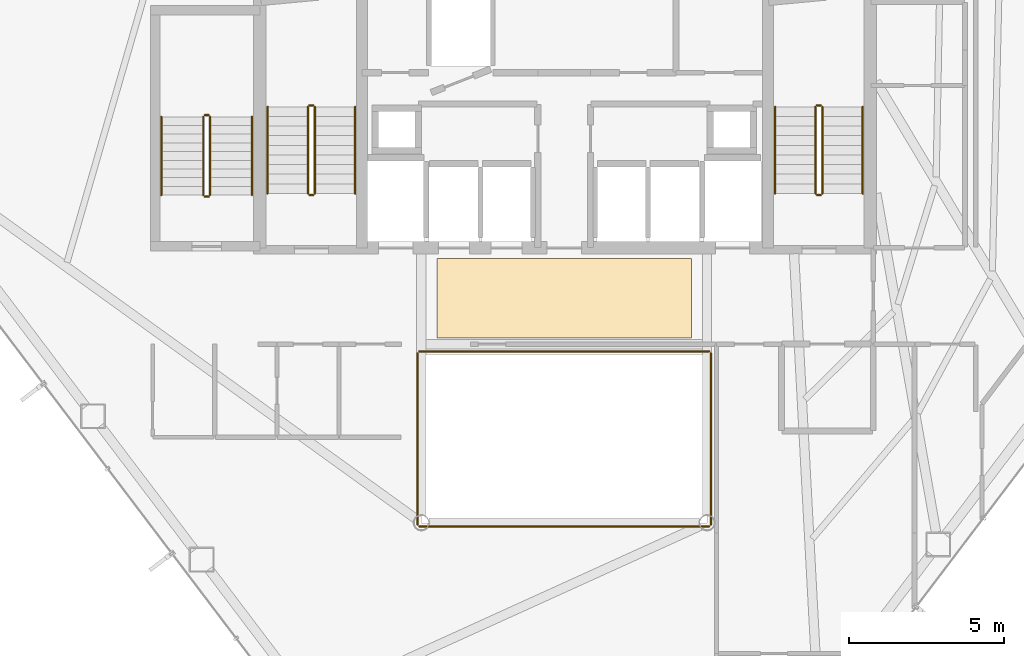
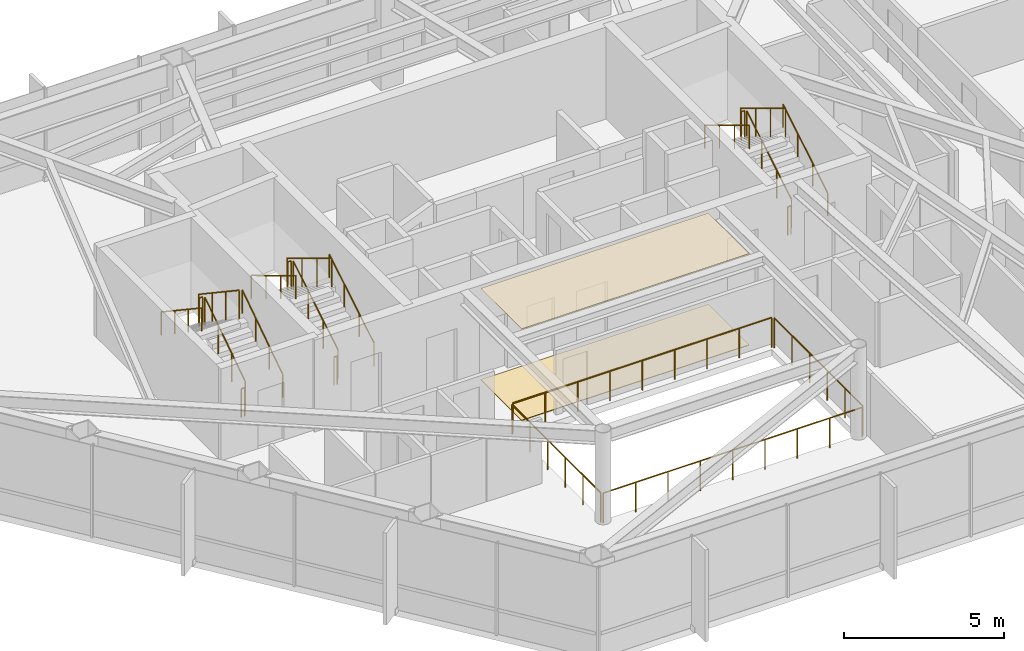
# One storey, part 29 of 29: 22 railings, 2 coverings.
"""IFC4 building model written with IfcOpenShell, lengths in metres."""

from ifc_helpers import new_model, si_unit, direction, frame, origin, origin_2d, place, context, subcontext, project, spatial, polyline, circle, outline, extrude, material, layer, layer_set, type_object, element, save


model = new_model("IFC4")

# Units and contexts
model_context = context("Model", 3, precision=1e-05, world=origin(), true_north=direction((0.0, 1.0)))
body_context = subcontext(model_context, "Body", "Model", "MODEL_VIEW")
ifc_project = project(units=[si_unit("LENGTHUNIT", "METRE"), si_unit("AREAUNIT", "SQUARE_METRE"), si_unit("VOLUMEUNIT", "CUBIC_METRE"), si_unit("PLANEANGLEUNIT", "RADIAN"), si_unit("MASSUNIT", "GRAM", prefix="KILO")], contexts=[model_context])

# Site, building, storey
site_placement = place(None, origin())
site = spatial("IfcSite", under=ifc_project, at=site_placement, CompositionType="ELEMENT")
building_placement = place(site_placement, origin())
building = spatial("IfcBuilding", under=site, at=building_placement, Name="Zarrinselat Tower", CompositionType="ELEMENT")
storey_placement = place(building_placement, frame((0.0, 0.0, 134.639892578125)))
storey = spatial("IfcBuildingStorey", under=building, at=storey_placement, Name="L32", CompositionType="ELEMENT", Elevation=134.639892578125)

# Coverings
ifc_material_1 = material(Name="Fire-Rated Gypsum Board Partition")
ifc_layer_1 = layer(ifc_material_1, 0.014892578125)
ifc_layer_set_1 = layer_set([ifc_layer_1], Name="Fire-Rated Gypsum Board Partition")
covering_type_1 = type_object("IfcCoveringType", Name="COV-CLG-AC15", PredefinedType="CEILING", material=ifc_layer_set_1)
covering_1_placement = place(storey_placement, frame((0.0, 0.0, 3.485107421875)))
element("IfcCovering", 1, at=covering_1_placement, inside=storey, type_object=covering_type_1, Name="L32 Lift Lobby Acoustic Ceiling", PredefinedType="CEILING", context=body_context, shape_type="SweptSolid", body=[
    extrude(outline(polyline([(34.300048828125, 30.35009765625), (42.5, 30.35009765625), (42.5, 32.89990234375), (34.300048828125, 32.89990234375), (34.300048828125, 30.35009765625)])), origin(), (0.0, 0.0, 1.0), 0.014892578125),
])
ifc_material_2 = material(Name="Honed Cream Travertine Stone", Category="masonry")
ifc_layer_2 = layer(ifc_material_2, 0.02490234375)
ifc_layer_set_2 = layer_set([ifc_layer_2], Name="Honed Cream Travertine Stone")
covering_type_2 = type_object("IfcCoveringType", Name="COV-FLR-ST25", PredefinedType="FLOORING", material=ifc_layer_set_2)
covering_2_placement = place(storey_placement, origin())
element("IfcCovering", 2, at=covering_2_placement, inside=storey, type_object=covering_type_2, Name="L32 Lift Lobby Stone Flooring", PredefinedType="FLOORING", context=body_context, shape_type="SweptSolid", body=[
    extrude(outline(polyline([(34.300048828125, 30.35009765625), (42.5, 30.35009765625), (42.5, 32.89990234375), (34.300048828125, 32.89990234375), (34.300048828125, 30.35009765625)])), origin(), (0.0, 0.0, 1.0), 0.025146484375),
])

# Railings
ifc_material_3 = material(Name="Double Low-E Laminated Solar Glass", Category="glass")
railing_type_1 = type_object("IfcRailingType", Name="RLG-ATRIUM-BAL", PredefinedType="BALUSTRADE", material=ifc_material_3)
railing_1_placement = place(storey_placement, frame((33.739990234375, 24.280029296875, 0.0)))
element("IfcRailing", 3, at=railing_1_placement, inside=storey, type_object=railing_type_1, Name="L32 Atrium Void Glass Balustrade S", PredefinedType="BALUSTRADE", context=body_context, shape_type="SweptSolid", body=[
    extrude(circle(Radius=0.02392578125, at=origin_2d()), frame((0.0, 0.0, 1.1259765625), z_axis=(1.0, 0.0, 0.0), x_axis=(0.0, 1.0, 0.0)), (0.0, 0.0, 1.0), 9.320068359375),
    extrude(circle(Radius=0.02099609375, at=origin_2d()), origin(), (0.0, 0.0, 1.0), 1.099853515625),
    extrude(circle(Radius=0.02099609375, at=origin_2d()), frame((1.1650390625, 0.0, 0.0)), (0.0, 0.0, 1.0), 1.099853515625),
    extrude(circle(Radius=0.02099609375, at=origin_2d()), frame((2.330078125, 0.0, 0.0)), (0.0, 0.0, 1.0), 1.099853515625),
    extrude(circle(Radius=0.02099609375, at=origin_2d()), frame((3.4951171875, 0.0, 0.0)), (0.0, 0.0, 1.0), 1.099853515625),
    extrude(circle(Radius=0.02099609375, at=origin_2d()), frame((4.66015625, 0.0, 0.0)), (0.0, 0.0, 1.0), 1.099853515625),
    extrude(circle(Radius=0.02099609375, at=origin_2d()), frame((5.824951171875, 0.0, 0.0)), (0.0, 0.0, 1.0), 1.099853515625),
    extrude(circle(Radius=0.02099609375, at=origin_2d()), frame((6.989990234375, 0.0, 0.0)), (0.0, 0.0, 1.0), 1.099853515625),
    extrude(circle(Radius=0.02099609375, at=origin_2d()), frame((8.155029296875, 0.0, 0.0)), (0.0, 0.0, 1.0), 1.099853515625),
    extrude(circle(Radius=0.02099609375, at=origin_2d()), frame((9.320068359375, 0.0, 0.0)), (0.0, 0.0, 1.0), 1.099853515625),
])
railing_2_placement = place(storey_placement, frame((43.1201171875, 24.340087890625, 0.0)))
element("IfcRailing", 4, at=railing_2_placement, inside=storey, type_object=railing_type_1, Name="L32 Atrium Void Glass Balustrade E", PredefinedType="BALUSTRADE", context=body_context, shape_type="SweptSolid", body=[
    extrude(circle(Radius=0.02392578125, at=origin_2d()), frame((0.0, 0.0, 1.1259765625), z_axis=(0.0, 1.0, 0.0), x_axis=(-1.0, 0.0, 0.0)), (0.0, 0.0, 1.0), 5.52001953125),
    extrude(circle(Radius=0.02099609375, at=origin_2d()), origin(), (0.0, 0.0, 1.0), 1.099853515625),
    extrude(circle(Radius=0.02099609375, at=origin_2d()), frame((0.0, 1.10400390625, 0.0)), (0.0, 0.0, 1.0), 1.099853515625),
    extrude(circle(Radius=0.02099609375, at=origin_2d()), frame((0.0, 2.2080078125, 0.0)), (0.0, 0.0, 1.0), 1.099853515625),
    extrude(circle(Radius=0.02099609375, at=origin_2d()), frame((0.0, 3.31201171875, 0.0)), (0.0, 0.0, 1.0), 1.099853515625),
    extrude(circle(Radius=0.02099609375, at=origin_2d()), frame((0.0, 4.416015625, 0.0)), (0.0, 0.0, 1.0), 1.099853515625),
    extrude(circle(Radius=0.02099609375, at=origin_2d()), frame((0.0, 5.52001953125, 0.0)), (0.0, 0.0, 1.0), 1.099853515625),
])
railing_3_placement = place(storey_placement, frame((43.06005859375, 29.919921875, 0.0)))
element("IfcRailing", 5, at=railing_3_placement, inside=storey, type_object=railing_type_1, Name="L32 Atrium Void Glass Balustrade N", PredefinedType="BALUSTRADE", context=body_context, shape_type="SweptSolid", body=[
    extrude(circle(Radius=0.02392578125, at=origin_2d()), frame((0.0, 0.0, 1.1259765625), z_axis=(-1.0, 0.0, 0.0), x_axis=(0.0, -1.0, 0.0)), (0.0, 0.0, 1.0), 9.320068359375),
    extrude(circle(Radius=0.02099609375, at=origin_2d()), origin(), (0.0, 0.0, 1.0), 1.099853515625),
    extrude(circle(Radius=0.02099609375, at=origin_2d()), frame((-1.1650390625, 0.0, 0.0)), (0.0, 0.0, 1.0), 1.099853515625),
    extrude(circle(Radius=0.02099609375, at=origin_2d()), frame((-2.330078125, 0.0, 0.0)), (0.0, 0.0, 1.0), 1.099853515625),
    extrude(circle(Radius=0.02099609375, at=origin_2d()), frame((-3.4951171875, 0.0, 0.0)), (0.0, 0.0, 1.0), 1.099853515625),
    extrude(circle(Radius=0.02099609375, at=origin_2d()), frame((-4.66015625, 0.0, 0.0)), (0.0, 0.0, 1.0), 1.099853515625),
    extrude(circle(Radius=0.02099609375, at=origin_2d()), frame((-5.824951171875, 0.0, 0.0)), (0.0, 0.0, 1.0), 1.099853515625),
    extrude(circle(Radius=0.02099609375, at=origin_2d()), frame((-6.989990234375, 0.0, 0.0)), (0.0, 0.0, 1.0), 1.099853515625),
    extrude(circle(Radius=0.02099609375, at=origin_2d()), frame((-8.155029296875, 0.0, 0.0)), (0.0, 0.0, 1.0), 1.099853515625),
    extrude(circle(Radius=0.02099609375, at=origin_2d()), frame((-9.320068359375, 0.0, 0.0)), (0.0, 0.0, 1.0), 1.099853515625),
])
railing_4_placement = place(storey_placement, frame((33.679931640625, 29.860107421875, 0.0)))
element("IfcRailing", 6, at=railing_4_placement, inside=storey, type_object=railing_type_1, Name="L32 Atrium Void Glass Balustrade W", PredefinedType="BALUSTRADE", context=body_context, shape_type="SweptSolid", body=[
    extrude(circle(Radius=0.02392578125, at=origin_2d()), frame((0.0, 0.0, 1.1259765625), z_axis=(0.0, -1.0, 0.0), x_axis=(1.0, 0.0, 0.0)), (0.0, 0.0, 1.0), 5.52001953125),
    extrude(circle(Radius=0.02099609375, at=origin_2d()), origin(), (0.0, 0.0, 1.0), 1.099853515625),
    extrude(circle(Radius=0.02099609375, at=origin_2d()), frame((0.0, -1.10400390625, 0.0)), (0.0, 0.0, 1.0), 1.099853515625),
    extrude(circle(Radius=0.02099609375, at=origin_2d()), frame((0.0, -2.2080078125, 0.0)), (0.0, 0.0, 1.0), 1.099853515625),
    extrude(circle(Radius=0.02099609375, at=origin_2d()), frame((0.0, -3.31201171875, 0.0)), (0.0, 0.0, 1.0), 1.099853515625),
    extrude(circle(Radius=0.02099609375, at=origin_2d()), frame((0.0, -4.416015625, 0.0)), (0.0, 0.0, 1.0), 1.099853515625),
    extrude(circle(Radius=0.02099609375, at=origin_2d()), frame((0.0, -5.52001953125, 0.0)), (0.0, 0.0, 1.0), 1.099853515625),
])
ifc_material_4 = material(Name="Steel S355J2", Category="steel")
railing_type_2 = type_object("IfcRailingType", Name="RLG-STAIR-GUARD", PredefinedType="GUARDRAIL", material=ifc_material_4)
railing_5_placement = place(storey_placement, frame((30.3701171875, 35.0, 0.18701171875)))
element("IfcRailing", 7, at=railing_5_placement, inside=storey, type_object=railing_type_2, Name="L32 ST-1 stair guard 1", PredefinedType="GUARDRAIL", context=body_context, shape_type="SweptSolid", body=[
    extrude(circle(Radius=0.02392578125, at=origin_2d()), frame((0.0, 0.0, 1.076171875), z_axis=(0.0, 0.856260799362, 0.516543747882), x_axis=(-1.0, 0.0, 0.0)), (0.0, 0.0, 1.0), 3.25830078125),
    extrude(circle(Radius=0.02099609375, at=origin_2d()), origin(), (0.0, 0.0, 1.0), 1.050048828125),
    extrude(circle(Radius=0.02099609375, at=origin_2d()), frame((0.0, 0.929931640625, 0.56103515625)), (0.0, 0.0, 1.0), 1.050048828125),
    extrude(circle(Radius=0.02099609375, at=origin_2d()), frame((0.0, 1.860107421875, 1.1220703125)), (0.0, 0.0, 1.0), 1.050048828125),
    extrude(circle(Radius=0.02099609375, at=origin_2d()), frame((0.0, 2.7900390625, 1.68310546875)), (0.0, 0.0, 1.0), 1.050048828125),
])
railing_6_placement = place(storey_placement, frame((30.320068359375, 37.840087890625, 1.8701171875)))
element("IfcRailing", 8, at=railing_6_placement, inside=storey, type_object=railing_type_2, Name="L32 ST-1 stair guard 2", PredefinedType="GUARDRAIL", context=body_context, shape_type="SweptSolid", body=[
    extrude(circle(Radius=0.02392578125, at=origin_2d()), frame((0.0, 0.0, 1.076171875), z_axis=(-1.0, 0.0, 0.0), x_axis=(0.0, -1.0, 0.0)), (0.0, 0.0, 1.0), 0.1201171875),
    extrude(circle(Radius=0.02099609375, at=origin_2d()), origin(), (0.0, 0.0, 1.0), 1.050048828125),
    extrude(circle(Radius=0.02099609375, at=origin_2d()), frame((-0.1201171875, 0.0, 0.0)), (0.0, 0.0, 1.0), 1.050048828125),
])
railing_7_placement = place(storey_placement, frame((30.14990234375, 37.7900390625, 2.05712890625)))
element("IfcRailing", 9, at=railing_7_placement, inside=storey, type_object=railing_type_2, Name="L32 ST-1 stair guard 3", PredefinedType="GUARDRAIL", context=body_context, shape_type="SweptSolid", body=[
    extrude(circle(Radius=0.02392578125, at=origin_2d()), frame((0.0, 0.0, 1.076171875), z_axis=(0.0, -0.856293938615, 0.516488809842), x_axis=(1.0, 0.0, 0.0)), (0.0, 0.0, 1.0), 3.25830078125),
    extrude(circle(Radius=0.02099609375, at=origin_2d()), origin(), (0.0, 0.0, 1.0), 1.050048828125),
    extrude(circle(Radius=0.02099609375, at=origin_2d()), frame((0.0, -0.929931640625, 0.56103515625)), (0.0, 0.0, 1.0), 1.050048828125),
    extrude(circle(Radius=0.02099609375, at=origin_2d()), frame((0.0, -1.860107421875, 1.121826171875)), (0.0, 0.0, 1.0), 1.050048828125),
    extrude(circle(Radius=0.02099609375, at=origin_2d()), frame((0.0, -2.7900390625, 1.682861328125)), (0.0, 0.0, 1.0), 1.050048828125),
])
railing_8_placement = place(storey_placement, frame((30.320068359375, 34.949951171875, 0.0)))
element("IfcRailing", 10, at=railing_8_placement, inside=storey, type_object=railing_type_2, Name="L32 ST-1 stair guard 4", PredefinedType="GUARDRAIL", context=body_context, shape_type="SweptSolid", body=[
    extrude(circle(Radius=0.02392578125, at=origin_2d()), frame((0.0, 0.0, 1.076171875), z_axis=(-1.0, 0.0, 0.0), x_axis=(0.0, -1.0, 0.0)), (0.0, 0.0, 1.0), 0.1201171875),
    extrude(circle(Radius=0.02099609375, at=origin_2d()), origin(), (0.0, 0.0, 1.0), 1.050048828125),
    extrude(circle(Radius=0.02099609375, at=origin_2d()), frame((-0.1201171875, 0.0, 0.0)), (0.0, 0.0, 1.0), 1.050048828125),
])
railing_9_placement = place(storey_placement, frame((46.7099609375, 35.0, 0.18701171875)))
element("IfcRailing", 11, at=railing_9_placement, inside=storey, type_object=railing_type_2, Name="L32 ST-2 stair guard 1", PredefinedType="GUARDRAIL", context=body_context, shape_type="SweptSolid", body=[
    extrude(circle(Radius=0.02392578125, at=origin_2d()), frame((0.0, 0.0, 1.076171875), z_axis=(0.0, 0.856260799362, 0.516543747882), x_axis=(-1.0, 0.0, 0.0)), (0.0, 0.0, 1.0), 3.25830078125),
    extrude(circle(Radius=0.02099609375, at=origin_2d()), origin(), (0.0, 0.0, 1.0), 1.050048828125),
    extrude(circle(Radius=0.02099609375, at=origin_2d()), frame((0.0, 0.929931640625, 0.56103515625)), (0.0, 0.0, 1.0), 1.050048828125),
    extrude(circle(Radius=0.02099609375, at=origin_2d()), frame((0.0, 1.860107421875, 1.1220703125)), (0.0, 0.0, 1.0), 1.050048828125),
    extrude(circle(Radius=0.02099609375, at=origin_2d()), frame((0.0, 2.7900390625, 1.68310546875)), (0.0, 0.0, 1.0), 1.050048828125),
])
railing_10_placement = place(storey_placement, frame((46.659912109375, 37.840087890625, 1.8701171875)))
element("IfcRailing", 12, at=railing_10_placement, inside=storey, type_object=railing_type_2, Name="L32 ST-2 stair guard 2", PredefinedType="GUARDRAIL", context=body_context, shape_type="SweptSolid", body=[
    extrude(circle(Radius=0.02392578125, at=origin_2d()), frame((0.0, 0.0, 1.076171875), z_axis=(-1.0, 0.0, 0.0), x_axis=(0.0, -1.0, 0.0)), (0.0, 0.0, 1.0), 0.119873046875),
    extrude(circle(Radius=0.02099609375, at=origin_2d()), origin(), (0.0, 0.0, 1.0), 1.050048828125),
    extrude(circle(Radius=0.02099609375, at=origin_2d()), frame((-0.119873046875, 0.0, 0.0)), (0.0, 0.0, 1.0), 1.050048828125),
])
railing_11_placement = place(storey_placement, frame((46.489990234375, 37.7900390625, 2.05712890625)))
element("IfcRailing", 13, at=railing_11_placement, inside=storey, type_object=railing_type_2, Name="L32 ST-2 stair guard 3", PredefinedType="GUARDRAIL", context=body_context, shape_type="SweptSolid", body=[
    extrude(circle(Radius=0.02392578125, at=origin_2d()), frame((0.0, 0.0, 1.076171875), z_axis=(0.0, -0.856293938615, 0.516488809842), x_axis=(1.0, 0.0, 0.0)), (0.0, 0.0, 1.0), 3.25830078125),
    extrude(circle(Radius=0.02099609375, at=origin_2d()), origin(), (0.0, 0.0, 1.0), 1.050048828125),
    extrude(circle(Radius=0.02099609375, at=origin_2d()), frame((0.0, -0.929931640625, 0.56103515625)), (0.0, 0.0, 1.0), 1.050048828125),
    extrude(circle(Radius=0.02099609375, at=origin_2d()), frame((0.0, -1.860107421875, 1.121826171875)), (0.0, 0.0, 1.0), 1.050048828125),
    extrude(circle(Radius=0.02099609375, at=origin_2d()), frame((0.0, -2.7900390625, 1.682861328125)), (0.0, 0.0, 1.0), 1.050048828125),
])
railing_12_placement = place(storey_placement, frame((46.659912109375, 34.949951171875, 0.0)))
element("IfcRailing", 14, at=railing_12_placement, inside=storey, type_object=railing_type_2, Name="L32 ST-2 stair guard 4", PredefinedType="GUARDRAIL", context=body_context, shape_type="SweptSolid", body=[
    extrude(circle(Radius=0.02392578125, at=origin_2d()), frame((0.0, 0.0, 1.076171875), z_axis=(-1.0, 0.0, 0.0), x_axis=(0.0, -1.0, 0.0)), (0.0, 0.0, 1.0), 0.119873046875),
    extrude(circle(Radius=0.02099609375, at=origin_2d()), origin(), (0.0, 0.0, 1.0), 1.050048828125),
    extrude(circle(Radius=0.02099609375, at=origin_2d()), frame((-0.119873046875, 0.0, 0.0)), (0.0, 0.0, 1.0), 1.050048828125),
])
railing_13_placement = place(storey_placement, frame((27.0, 34.949951171875, 0.18701171875)))
element("IfcRailing", 15, at=railing_13_placement, inside=storey, type_object=railing_type_2, Name="L32 ST-3 stair guard 1", PredefinedType="GUARDRAIL", context=body_context, shape_type="SweptSolid", body=[
    extrude(circle(Radius=0.02392578125, at=origin_2d()), frame((0.0, 0.0, 1.076171875), z_axis=(0.0, 0.831579006341, 0.555406478368), x_axis=(-1.0, 0.0, 0.0)), (0.0, 0.0, 1.0), 3.030517578125),
    extrude(circle(Radius=0.02099609375, at=origin_2d()), origin(), (0.0, 0.0, 1.0), 1.050048828125),
    extrude(circle(Radius=0.02099609375, at=origin_2d()), frame((0.0, 0.840087890625, 0.56103515625)), (0.0, 0.0, 1.0), 1.050048828125),
    extrude(circle(Radius=0.02099609375, at=origin_2d()), frame((0.0, 1.679931640625, 1.1220703125)), (0.0, 0.0, 1.0), 1.050048828125),
    extrude(circle(Radius=0.02099609375, at=origin_2d()), frame((0.0, 2.52001953125, 1.68310546875)), (0.0, 0.0, 1.0), 1.050048828125),
])
railing_14_placement = place(storey_placement, frame((26.949951171875, 37.52001953125, 1.8701171875)))
element("IfcRailing", 16, at=railing_14_placement, inside=storey, type_object=railing_type_2, Name="L32 ST-3 stair guard 2", PredefinedType="GUARDRAIL", context=body_context, shape_type="SweptSolid", body=[
    extrude(circle(Radius=0.02392578125, at=origin_2d()), frame((0.0, 0.0, 1.076171875), z_axis=(-1.0, 0.0, 0.0), x_axis=(0.0, -1.0, 0.0)), (0.0, 0.0, 1.0), 0.119873046875),
    extrude(circle(Radius=0.02099609375, at=origin_2d()), origin(), (0.0, 0.0, 1.0), 1.050048828125),
    extrude(circle(Radius=0.02099609375, at=origin_2d()), frame((-0.119873046875, 0.0, 0.0)), (0.0, 0.0, 1.0), 1.050048828125),
])
railing_15_placement = place(storey_placement, frame((26.780029296875, 37.469970703125, 2.05712890625)))
element("IfcRailing", 17, at=railing_15_placement, inside=storey, type_object=railing_type_2, Name="L32 ST-3 stair guard 3", PredefinedType="GUARDRAIL", context=body_context, shape_type="SweptSolid", body=[
    extrude(circle(Radius=0.02392578125, at=origin_2d()), frame((0.0, 0.0, 1.076171875), z_axis=(0.0, -0.831616215664, 0.555350762892), x_axis=(1.0, 0.0, 0.0)), (0.0, 0.0, 1.0), 3.0302734375),
    extrude(circle(Radius=0.02099609375, at=origin_2d()), origin(), (0.0, 0.0, 1.0), 1.050048828125),
    extrude(circle(Radius=0.02099609375, at=origin_2d()), frame((0.0, -0.840087890625, 0.56103515625)), (0.0, 0.0, 1.0), 1.050048828125),
    extrude(circle(Radius=0.02099609375, at=origin_2d()), frame((0.0, -1.679931640625, 1.121826171875)), (0.0, 0.0, 1.0), 1.050048828125),
    extrude(circle(Radius=0.02099609375, at=origin_2d()), frame((0.0, -2.52001953125, 1.682861328125)), (0.0, 0.0, 1.0), 1.050048828125),
])
railing_16_placement = place(storey_placement, frame((26.949951171875, 34.89990234375, 0.0)))
element("IfcRailing", 18, at=railing_16_placement, inside=storey, type_object=railing_type_2, Name="L32 ST-3 stair guard 4", PredefinedType="GUARDRAIL", context=body_context, shape_type="SweptSolid", body=[
    extrude(circle(Radius=0.02392578125, at=origin_2d()), frame((0.0, 0.0, 1.076171875), z_axis=(-1.0, 0.0, 0.0), x_axis=(0.0, -1.0, 0.0)), (0.0, 0.0, 1.0), 0.119873046875),
    extrude(circle(Radius=0.02099609375, at=origin_2d()), origin(), (0.0, 0.0, 1.0), 1.050048828125),
    extrude(circle(Radius=0.02099609375, at=origin_2d()), frame((-0.119873046875, 0.0, 0.0)), (0.0, 0.0, 1.0), 1.050048828125),
])
ifc_material_5 = material(Name="Steel S355J2", Category="steel")
railing_type_3 = type_object("IfcRailingType", Name="RLG-STAIR-HAND", PredefinedType="HANDRAIL", material=ifc_material_5)
railing_17_placement = place(storey_placement, frame((31.669921875, 35.0, 0.18701171875)))
element("IfcRailing", 19, at=railing_17_placement, inside=storey, type_object=railing_type_3, Name="L32 ST-1 stair handrail 1", PredefinedType="HANDRAIL", context=body_context, shape_type="SweptSolid", body=[
    extrude(circle(Radius=0.02392578125, at=origin_2d()), frame((0.0, 0.0, 0.8759765625), z_axis=(0.0, 0.856260799362, 0.516543747882), x_axis=(-1.0, 0.0, 0.0)), (0.0, 0.0, 1.0), 3.25830078125),
    extrude(circle(Radius=0.02099609375, at=origin_2d()), origin(), (0.0, 0.0, 1.0), 0.849853515625),
    extrude(circle(Radius=0.02099609375, at=origin_2d()), frame((0.0, 0.929931640625, 0.56103515625)), (0.0, 0.0, 1.0), 0.849853515625),
    extrude(circle(Radius=0.02099609375, at=origin_2d()), frame((0.0, 1.860107421875, 1.1220703125)), (0.0, 0.0, 1.0), 0.849853515625),
    extrude(circle(Radius=0.02099609375, at=origin_2d()), frame((0.0, 2.7900390625, 1.68310546875)), (0.0, 0.0, 1.0), 0.849853515625),
])
railing_18_placement = place(storey_placement, frame((28.85009765625, 37.7900390625, 2.05712890625)))
element("IfcRailing", 20, at=railing_18_placement, inside=storey, type_object=railing_type_3, Name="L32 ST-1 stair handrail 2", PredefinedType="HANDRAIL", context=body_context, shape_type="SweptSolid", body=[
    extrude(circle(Radius=0.02392578125, at=origin_2d()), frame((0.0, 0.0, 0.8759765625), z_axis=(0.0, -0.856293938615, 0.516488809842), x_axis=(1.0, 0.0, 0.0)), (0.0, 0.0, 1.0), 3.25830078125),
    extrude(circle(Radius=0.02099609375, at=origin_2d()), origin(), (0.0, 0.0, 1.0), 0.849853515625),
    extrude(circle(Radius=0.02099609375, at=origin_2d()), frame((0.0, -0.929931640625, 0.56103515625)), (0.0, 0.0, 1.0), 0.849853515625),
    extrude(circle(Radius=0.02099609375, at=origin_2d()), frame((0.0, -1.860107421875, 1.121826171875)), (0.0, 0.0, 1.0), 0.849853515625),
    extrude(circle(Radius=0.02099609375, at=origin_2d()), frame((0.0, -2.7900390625, 1.682861328125)), (0.0, 0.0, 1.0), 0.849853515625),
])
railing_19_placement = place(storey_placement, frame((48.010009765625, 35.0, 0.18701171875)))
element("IfcRailing", 21, at=railing_19_placement, inside=storey, type_object=railing_type_3, Name="L32 ST-2 stair handrail 1", PredefinedType="HANDRAIL", context=body_context, shape_type="SweptSolid", body=[
    extrude(circle(Radius=0.02392578125, at=origin_2d()), frame((0.0, 0.0, 0.8759765625), z_axis=(0.0, 0.856260799362, 0.516543747882), x_axis=(-1.0, 0.0, 0.0)), (0.0, 0.0, 1.0), 3.25830078125),
    extrude(circle(Radius=0.02099609375, at=origin_2d()), origin(), (0.0, 0.0, 1.0), 0.849853515625),
    extrude(circle(Radius=0.02099609375, at=origin_2d()), frame((0.0, 0.929931640625, 0.56103515625)), (0.0, 0.0, 1.0), 0.849853515625),
    extrude(circle(Radius=0.02099609375, at=origin_2d()), frame((0.0, 1.860107421875, 1.1220703125)), (0.0, 0.0, 1.0), 0.849853515625),
    extrude(circle(Radius=0.02099609375, at=origin_2d()), frame((0.0, 2.7900390625, 1.68310546875)), (0.0, 0.0, 1.0), 0.849853515625),
])
railing_20_placement = place(storey_placement, frame((45.18994140625, 37.7900390625, 2.05712890625)))
element("IfcRailing", 22, at=railing_20_placement, inside=storey, type_object=railing_type_3, Name="L32 ST-2 stair handrail 2", PredefinedType="HANDRAIL", context=body_context, shape_type="SweptSolid", body=[
    extrude(circle(Radius=0.02392578125, at=origin_2d()), frame((0.0, 0.0, 0.8759765625), z_axis=(0.0, -0.856293938615, 0.516488809842), x_axis=(1.0, 0.0, 0.0)), (0.0, 0.0, 1.0), 3.25830078125),
    extrude(circle(Radius=0.02099609375, at=origin_2d()), origin(), (0.0, 0.0, 1.0), 0.849853515625),
    extrude(circle(Radius=0.02099609375, at=origin_2d()), frame((0.0, -0.929931640625, 0.56103515625)), (0.0, 0.0, 1.0), 0.849853515625),
    extrude(circle(Radius=0.02099609375, at=origin_2d()), frame((0.0, -1.860107421875, 1.121826171875)), (0.0, 0.0, 1.0), 0.849853515625),
    extrude(circle(Radius=0.02099609375, at=origin_2d()), frame((0.0, -2.7900390625, 1.682861328125)), (0.0, 0.0, 1.0), 0.849853515625),
])
railing_21_placement = place(storey_placement, frame((28.35009765625, 34.949951171875, 0.18701171875)))
element("IfcRailing", 23, at=railing_21_placement, inside=storey, type_object=railing_type_3, Name="L32 ST-3 stair handrail 1", PredefinedType="HANDRAIL", context=body_context, shape_type="SweptSolid", body=[
    extrude(circle(Radius=0.02392578125, at=origin_2d()), frame((0.0, 0.0, 0.8759765625), z_axis=(0.0, 0.831579006341, 0.555406478368), x_axis=(-1.0, 0.0, 0.0)), (0.0, 0.0, 1.0), 3.030517578125),
    extrude(circle(Radius=0.02099609375, at=origin_2d()), origin(), (0.0, 0.0, 1.0), 0.849853515625),
    extrude(circle(Radius=0.02099609375, at=origin_2d()), frame((0.0, 0.840087890625, 0.56103515625)), (0.0, 0.0, 1.0), 0.849853515625),
    extrude(circle(Radius=0.02099609375, at=origin_2d()), frame((0.0, 1.679931640625, 1.1220703125)), (0.0, 0.0, 1.0), 0.849853515625),
    extrude(circle(Radius=0.02099609375, at=origin_2d()), frame((0.0, 2.52001953125, 1.68310546875)), (0.0, 0.0, 1.0), 0.849853515625),
])
railing_22_placement = place(storey_placement, frame((25.429931640625, 37.469970703125, 2.05712890625)))
element("IfcRailing", 24, at=railing_22_placement, inside=storey, type_object=railing_type_3, Name="L32 ST-3 stair handrail 2", PredefinedType="HANDRAIL", context=body_context, shape_type="SweptSolid", body=[
    extrude(circle(Radius=0.02392578125, at=origin_2d()), frame((0.0, 0.0, 0.8759765625), z_axis=(0.0, -0.831616215664, 0.555350762892), x_axis=(1.0, 0.0, 0.0)), (0.0, 0.0, 1.0), 3.0302734375),
    extrude(circle(Radius=0.02099609375, at=origin_2d()), origin(), (0.0, 0.0, 1.0), 0.849853515625),
    extrude(circle(Radius=0.02099609375, at=origin_2d()), frame((0.0, -0.840087890625, 0.56103515625)), (0.0, 0.0, 1.0), 0.849853515625),
    extrude(circle(Radius=0.02099609375, at=origin_2d()), frame((0.0, -1.679931640625, 1.121826171875)), (0.0, 0.0, 1.0), 0.849853515625),
    extrude(circle(Radius=0.02099609375, at=origin_2d()), frame((0.0, -2.52001953125, 1.682861328125)), (0.0, 0.0, 1.0), 0.849853515625),
])

save(model, "model.ifc")
